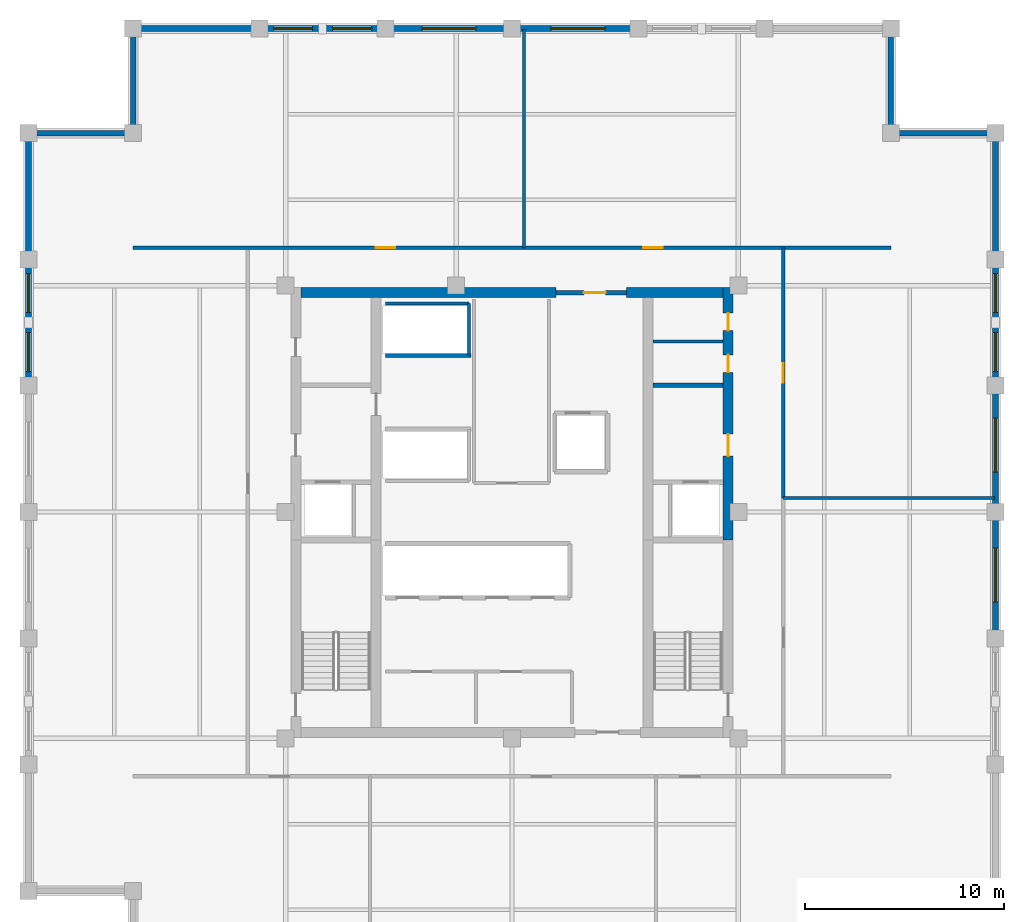
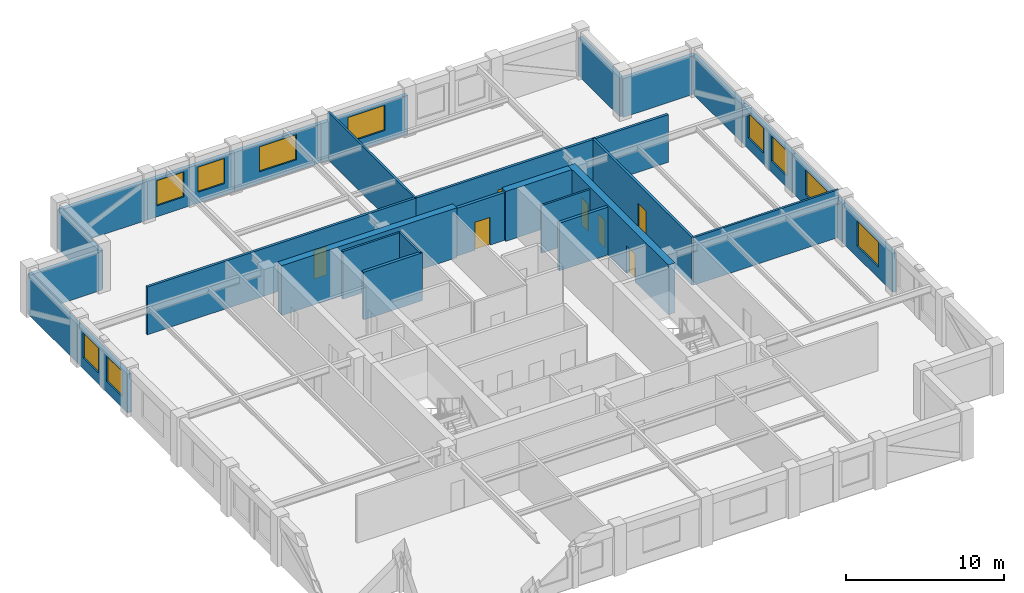
# One storey, part 4 of 6: 28 walls, 10 windows, 7 doors, 17 openings.
"""IFC4 building model written with IfcOpenShell, lengths in metres."""

from ifc_helpers import new_model, si_unit, direction, frame, frame_2d, origin, place, context, subcontext, project, spatial, rectangle, extrude, material, layer, layer_set, type_object, element, fill, save


model = new_model("IFC4")

# Units and contexts
model_context = context("Model", 3, precision=1e-05, world=origin(), true_north=direction((0.0, 1.0)))
body_context = subcontext(model_context, "Body", "Model", "MODEL_VIEW")
ifc_project = project(units=[si_unit("LENGTHUNIT", "METRE"), si_unit("AREAUNIT", "SQUARE_METRE"), si_unit("VOLUMEUNIT", "CUBIC_METRE"), si_unit("PLANEANGLEUNIT", "RADIAN"), si_unit("MASSUNIT", "GRAM", prefix="KILO")], contexts=[model_context])

# Site, building, storey
site_placement = place(None, origin())
site = spatial("IfcSite", under=ifc_project, at=site_placement, CompositionType="ELEMENT")
building_placement = place(site_placement, origin())
building = spatial("IfcBuilding", under=site, at=building_placement, Name="Nhamokura Convention Tower", CompositionType="ELEMENT")
storey_placement = place(building_placement, frame((0.0, 0.0, 233.10009765625)))
storey = spatial("IfcBuildingStorey", under=building, at=storey_placement, Name="L57", CompositionType="ELEMENT", Elevation=233.10009765625)

# Walls
ifc_material_1 = material(Name="Moisture-resistant tile-backer partition", Category="masonry")
ifc_layer_1 = layer(ifc_material_1, 0.139892578125)
ifc_layer_set_1 = layer_set([ifc_layer_1], Name="BathroomWetWall_140")
wall_type_1 = type_object("IfcWallType", Name="BathroomWetWall_140", PredefinedType="STANDARD", material=ifc_layer_set_1)
wall_1_placement = place(storey_placement, frame((39.06005859375, 40.550048828125, 0.0), z_axis=(0.0, 0.0, 1.0), x_axis=(1.0, 0.0, 0.0)))
element("IfcWall", 1, at=wall_1_placement, inside=storey, type_object=wall_type_1, Name="L57 Wall INT-L57-CWNE", PredefinedType="STANDARD", context=body_context, shape_type="SweptSolid", body=[
    extrude(rectangle(XDim=3.530029296875, YDim=0.139892578125, at=frame_2d((1.76513671875, 0.0))), origin(), (0.0, 0.0, 1.0), 3.684814453125),
])
ifc_material_2 = material(Name="Bronze-pigmented precast concrete C45/55", Category="concrete")
ifc_layer_2 = layer(ifc_material_2, 0.280029296875)
ifc_layer_set_2 = layer_set([ifc_layer_2], Name="BronzePrecastSpandrel_280")
wall_type_2 = type_object("IfcWallType", Name="BronzePrecastSpandrel_280", PredefinedType="USERDEFINED", material=ifc_layer_set_2)
wall_2_placement = place(storey_placement, frame((13.0, 56.25, 0.0), z_axis=(0.0, 0.0, 1.0), x_axis=(1.0, 0.0, 0.0)))
element("IfcWall", 2, at=wall_2_placement, inside=storey, type_object=wall_type_2, Name="L57 Braced-Bay Precast Wall NORTH 0", ObjectType="SPANDREL_WALL", PredefinedType="USERDEFINED", context=body_context, shape_type="SweptSolid", body=[
    extrude(rectangle(XDim=6.333251953125, YDim=0.280029296875, at=frame_2d((3.16650390625, 0.0))), origin(), (0.0, 0.0, 1.0), 2.98486328125),
])

# Wall, openings, windows
wall_3_placement = place(storey_placement, frame((19.333251953125, 56.25, 0.0), z_axis=(0.0, 0.0, 1.0), x_axis=(1.0, 0.0, 0.0)))
wall_3 = element("IfcWall", 3, at=wall_3_placement, inside=storey, type_object=wall_type_2, Name="L57 Masonry-Frame Wall NORTH 1", ObjectType="SPANDREL_WALL", PredefinedType="USERDEFINED", context=body_context, shape_type="SweptSolid", body=[
    extrude(rectangle(XDim=6.33349609375, YDim=0.280029296875, at=frame_2d((3.166748046875, 0.0))), origin(), (0.0, 0.0, 1.0), 2.98486328125),
])
opening_1_placement = place(wall_3_placement, frame((0.708251953125, 0.0, 0.85009765625)))
opening_1 = element("IfcOpeningElement", 4, at=opening_1_placement, cuts=wall_3, Name="Opening W-08", PredefinedType="OPENING", context=body_context, shape_type="SweptSolid", body=[
    extrude(rectangle(XDim=1.949951171875, YDim=1.93505859375, at=frame_2d((0.97509765625, 0.967529296875))), frame((0.0, 0.14990234375, 0.0), z_axis=(0.0, -1.0, 0.0), x_axis=(1.0, 0.0, 0.0)), (0.0, 0.0, 1.0), 0.300048828125),
])
opening_2_placement = place(wall_3_placement, frame((3.675048828125, 0.0, 0.85009765625)))
opening_2 = element("IfcOpeningElement", 5, at=opening_2_placement, cuts=wall_3, Name="Opening W-08", PredefinedType="OPENING", context=body_context, shape_type="SweptSolid", body=[
    extrude(rectangle(XDim=1.949951171875, YDim=1.93505859375, at=frame_2d((0.97509765625, 0.967529296875))), frame((0.0, 0.14990234375, 0.0), z_axis=(0.0, -1.0, 0.0), x_axis=(1.0, 0.0, 0.0)), (0.0, 0.0, 1.0), 0.300048828125),
])
ifc_material_3 = material(Name="Solar-control bronze low-E double glass", Category="glass")
window_type_1 = type_object("IfcWindowType", Name="OfficeModuleWindow_Z3_1950", PartitioningType="SINGLE_PANEL", PredefinedType="WINDOW", material=ifc_material_3)
window_1_placement = place(opening_1_placement, origin())
window_1 = element("IfcWindow", 6, at=window_1_placement, inside=storey, type_object=window_type_1, Name="L57 Facade Window NORTH 1-1", OverallHeight=1.93505859375, OverallWidth=1.949951171875, PartitioningType="SINGLE_PANEL", PredefinedType="WINDOW", context=body_context, shape_type="SweptSolid", body=[
    extrude(rectangle(XDim=1.949951171875, YDim=1.93505859375, at=frame_2d((0.97509765625, 0.967529296875))), frame((0.0, 0.030029296875, 0.0), z_axis=(0.0, -1.0, 0.0), x_axis=(1.0, 0.0, 0.0)), (0.0, 0.0, 1.0), 0.06005859375),
])
fill(opening_1, window_1)
window_2_placement = place(opening_2_placement, origin())
window_2 = element("IfcWindow", 7, at=window_2_placement, inside=storey, type_object=window_type_1, Name="L57 Facade Window NORTH 1-2", OverallHeight=1.93505859375, OverallWidth=1.949951171875, PartitioningType="SINGLE_PANEL", PredefinedType="WINDOW", context=body_context, shape_type="SweptSolid", body=[
    extrude(rectangle(XDim=1.949951171875, YDim=1.93505859375, at=frame_2d((0.97509765625, 0.967529296875))), frame((0.0, 0.030029296875, 0.0), z_axis=(0.0, -1.0, 0.0), x_axis=(1.0, 0.0, 0.0)), (0.0, 0.0, 1.0), 0.06005859375),
])
fill(opening_2, window_2)

# Wall, opening, window
wall_4_placement = place(storey_placement, frame((25.666748046875, 56.25, 0.0), z_axis=(0.0, 0.0, 1.0), x_axis=(1.0, 0.0, 0.0)))
wall_4 = element("IfcWall", 8, at=wall_4_placement, inside=storey, type_object=wall_type_2, Name="L57 Masonry-Frame Wall NORTH 2", ObjectType="SPANDREL_WALL", PredefinedType="USERDEFINED", context=body_context, shape_type="SweptSolid", body=[
    extrude(rectangle(XDim=6.333251953125, YDim=0.280029296875, at=frame_2d((3.16650390625, 0.0))), origin(), (0.0, 0.0, 1.0), 2.98486328125),
])
opening_3_placement = place(wall_4_placement, frame((1.816650390625, 0.0, 0.85009765625)))
opening_3 = element("IfcOpeningElement", 9, at=opening_3_placement, cuts=wall_4, Name="Opening W-07", PredefinedType="OPENING", context=body_context, shape_type="SweptSolid", body=[
    extrude(rectangle(XDim=2.699951171875, YDim=1.93505859375, at=frame_2d((1.35009765625, 0.967529296875))), frame((0.0, 0.14990234375, 0.0), z_axis=(0.0, -1.0, 0.0), x_axis=(1.0, 0.0, 0.0)), (0.0, 0.0, 1.0), 0.300048828125),
])
ifc_material_4 = material(Name="Solar-control bronze low-E double glass", Category="glass")
window_type_2 = type_object("IfcWindowType", Name="OfficeModuleWindow_Z3_2700", PartitioningType="DOUBLE_PANEL_VERTICAL", PredefinedType="WINDOW", material=ifc_material_4)
window_3_placement = place(opening_3_placement, origin())
window_3 = element("IfcWindow", 10, at=window_3_placement, inside=storey, type_object=window_type_2, Name="L57 Facade Window NORTH 2", OverallHeight=1.93505859375, OverallWidth=2.699951171875, PartitioningType="SINGLE_PANEL", PredefinedType="WINDOW", context=body_context, shape_type="SweptSolid", body=[
    extrude(rectangle(XDim=2.699951171875, YDim=1.93505859375, at=frame_2d((1.35009765625, 0.967529296875))), frame((0.0, 0.030029296875, 0.0), z_axis=(0.0, -1.0, 0.0), x_axis=(1.0, 0.0, 0.0)), (0.0, 0.0, 1.0), 0.06005859375),
])
fill(opening_3, window_3)

wall_5_placement = place(storey_placement, frame((32.0, 56.25, 0.0), z_axis=(0.0, 0.0, 1.0), x_axis=(1.0, 0.0, 0.0)))
wall_5 = element("IfcWall", 11, at=wall_5_placement, inside=storey, type_object=wall_type_2, Name="L57 Masonry-Frame Wall NORTH 3", ObjectType="SPANDREL_WALL", PredefinedType="USERDEFINED", context=body_context, shape_type="SweptSolid", body=[
    extrude(rectangle(XDim=6.333251953125, YDim=0.280029296875, at=frame_2d((3.16650390625, 0.0))), origin(), (0.0, 0.0, 1.0), 2.98486328125),
])
opening_4_placement = place(wall_5_placement, frame((1.9541015625, 0.0, 0.85009765625)))
opening_4 = element("IfcOpeningElement", 12, at=opening_4_placement, cuts=wall_5, Name="Opening W-07", PredefinedType="OPENING", context=body_context, shape_type="SweptSolid", body=[
    extrude(rectangle(XDim=2.699951171875, YDim=1.93505859375, at=frame_2d((1.35009765625, 0.967529296875))), frame((0.0, 0.14990234375, 0.0), z_axis=(0.0, -1.0, 0.0), x_axis=(1.0, 0.0, 0.0)), (0.0, 0.0, 1.0), 0.300048828125),
])
window_4_placement = place(opening_4_placement, origin())
window_4 = element("IfcWindow", 13, at=window_4_placement, inside=storey, type_object=window_type_2, Name="L57 Facade Window NORTH 3", OverallHeight=1.93505859375, OverallWidth=2.699951171875, PartitioningType="SINGLE_PANEL", PredefinedType="WINDOW", context=body_context, shape_type="SweptSolid", body=[
    extrude(rectangle(XDim=2.699951171875, YDim=1.93505859375, at=frame_2d((1.35009765625, 0.967529296875))), frame((0.0, 0.030029296875, 0.0), z_axis=(0.0, -1.0, 0.0), x_axis=(1.0, 0.0, 0.0)), (0.0, 0.0, 1.0), 0.06005859375),
])
fill(opening_4, window_4)

# Wall, openings, windows
wall_6_placement = place(storey_placement, frame((7.75, 38.333251953125, 0.0), z_axis=(0.0, 0.0, 1.0), x_axis=(0.0, 1.0, 0.0)))
wall_6 = element("IfcWall", 14, at=wall_6_placement, inside=storey, type_object=wall_type_2, Name="L57 Masonry-Frame Wall WEST 4", ObjectType="SPANDREL_WALL", PredefinedType="USERDEFINED", context=body_context, shape_type="SweptSolid", body=[
    extrude(rectangle(XDim=6.33349609375, YDim=0.280029296875, at=frame_2d((3.166748046875, 0.0))), origin(), (0.0, 0.0, 1.0), 2.98486328125),
])
opening_5_placement = place(wall_6_placement, frame((0.708251953125, 0.0, 0.85009765625)))
opening_5 = element("IfcOpeningElement", 15, at=opening_5_placement, cuts=wall_6, Name="Opening W-08", PredefinedType="OPENING", context=body_context, shape_type="SweptSolid", body=[
    extrude(rectangle(XDim=1.949951171875, YDim=1.93505859375, at=frame_2d((0.97509765625, 0.967529296875))), frame((0.0, 0.14990234375, 0.0), z_axis=(0.0, -1.0, 0.0), x_axis=(1.0, 0.0, 0.0)), (0.0, 0.0, 1.0), 0.300048828125),
])
opening_6_placement = place(wall_6_placement, frame((3.675048828125, 0.0, 0.85009765625)))
opening_6 = element("IfcOpeningElement", 16, at=opening_6_placement, cuts=wall_6, Name="Opening W-08", PredefinedType="OPENING", context=body_context, shape_type="SweptSolid", body=[
    extrude(rectangle(XDim=1.949951171875, YDim=1.93505859375, at=frame_2d((0.97509765625, 0.967529296875))), frame((0.0, 0.14990234375, 0.0), z_axis=(0.0, -1.0, 0.0), x_axis=(1.0, 0.0, 0.0)), (0.0, 0.0, 1.0), 0.300048828125),
])
window_5_placement = place(opening_5_placement, origin())
window_5 = element("IfcWindow", 17, at=window_5_placement, inside=storey, type_object=window_type_1, Name="L57 Facade Window WEST 4-1", OverallHeight=1.93505859375, OverallWidth=1.949951171875, PartitioningType="SINGLE_PANEL", PredefinedType="WINDOW", context=body_context, shape_type="SweptSolid", body=[
    extrude(rectangle(XDim=1.949951171875, YDim=1.93505859375, at=frame_2d((0.97509765625, 0.967529296875))), frame((0.0, 0.030029296875, 0.0), z_axis=(0.0, -1.0, 0.0), x_axis=(1.0, 0.0, 0.0)), (0.0, 0.0, 1.0), 0.06005859375),
])
fill(opening_5, window_5)
window_6_placement = place(opening_6_placement, origin())
window_6 = element("IfcWindow", 18, at=window_6_placement, inside=storey, type_object=window_type_1, Name="L57 Facade Window WEST 4-2", OverallHeight=1.93505859375, OverallWidth=1.949951171875, PartitioningType="SINGLE_PANEL", PredefinedType="WINDOW", context=body_context, shape_type="SweptSolid", body=[
    extrude(rectangle(XDim=1.949951171875, YDim=1.93505859375, at=frame_2d((0.97509765625, 0.967529296875))), frame((0.0, 0.030029296875, 0.0), z_axis=(0.0, -1.0, 0.0), x_axis=(1.0, 0.0, 0.0)), (0.0, 0.0, 1.0), 0.06005859375),
])
fill(opening_6, window_6)

# Wall
wall_7_placement = place(storey_placement, frame((7.75, 44.666748046875, 0.0), z_axis=(0.0, 0.0, 1.0), x_axis=(0.0, 1.0, 0.0)))
element("IfcWall", 19, at=wall_7_placement, inside=storey, type_object=wall_type_2, Name="L57 Braced-Bay Precast Wall WEST 5", ObjectType="SPANDREL_WALL", PredefinedType="USERDEFINED", context=body_context, shape_type="SweptSolid", body=[
    extrude(rectangle(XDim=6.333251953125, YDim=0.280029296875, at=frame_2d((3.16650390625, 0.0))), origin(), (0.0, 0.0, 1.0), 2.98486328125),
])

# Wall, opening, window
wall_8_placement = place(storey_placement, frame((56.25, 32.0, 0.0), z_axis=(0.0, 0.0, 1.0), x_axis=(0.0, -1.0, 0.0)))
wall_8 = element("IfcWall", 20, at=wall_8_placement, inside=storey, type_object=wall_type_2, Name="L57 Masonry-Frame Wall EAST 2", ObjectType="SPANDREL_WALL", PredefinedType="USERDEFINED", context=body_context, shape_type="SweptSolid", body=[
    extrude(rectangle(XDim=6.333251953125, YDim=0.280029296875, at=frame_2d((3.16650390625, 0.0))), origin(), (0.0, 0.0, 1.0), 2.98486328125),
])
opening_7_placement = place(wall_8_placement, frame((1.816650390625, 0.0, 0.85009765625)))
opening_7 = element("IfcOpeningElement", 21, at=opening_7_placement, cuts=wall_8, Name="Opening W-07", PredefinedType="OPENING", context=body_context, shape_type="SweptSolid", body=[
    extrude(rectangle(XDim=2.699951171875, YDim=1.93505859375, at=frame_2d((1.35009765625, 0.967529296875))), frame((0.0, 0.14990234375, 0.0), z_axis=(0.0, -1.0, 0.0), x_axis=(1.0, 0.0, 0.0)), (0.0, 0.0, 1.0), 0.300048828125),
])
window_7_placement = place(opening_7_placement, origin())
window_7 = element("IfcWindow", 22, at=window_7_placement, inside=storey, type_object=window_type_2, Name="L57 Facade Window EAST 2", OverallHeight=1.93505859375, OverallWidth=2.699951171875, PartitioningType="SINGLE_PANEL", PredefinedType="WINDOW", context=body_context, shape_type="SweptSolid", body=[
    extrude(rectangle(XDim=2.699951171875, YDim=1.93505859375, at=frame_2d((1.35009765625, 0.967529296875))), frame((0.0, 0.030029296875, 0.0), z_axis=(0.0, -1.0, 0.0), x_axis=(1.0, 0.0, 0.0)), (0.0, 0.0, 1.0), 0.06005859375),
])
fill(opening_7, window_7)

wall_9_placement = place(storey_placement, frame((56.25, 38.333251953125, 0.0), z_axis=(0.0, 0.0, 1.0), x_axis=(0.0, -1.0, 0.0)))
wall_9 = element("IfcWall", 23, at=wall_9_placement, inside=storey, type_object=wall_type_2, Name="L57 Masonry-Frame Wall EAST 3", ObjectType="SPANDREL_WALL", PredefinedType="USERDEFINED", context=body_context, shape_type="SweptSolid", body=[
    extrude(rectangle(XDim=6.333251953125, YDim=0.280029296875, at=frame_2d((3.16650390625, 0.0))), origin(), (0.0, 0.0, 1.0), 2.98486328125),
])
opening_8_placement = place(wall_9_placement, frame((1.629150390625, 0.0, 0.85009765625)))
opening_8 = element("IfcOpeningElement", 24, at=opening_8_placement, cuts=wall_9, Name="Opening W-07", PredefinedType="OPENING", context=body_context, shape_type="SweptSolid", body=[
    extrude(rectangle(XDim=2.699951171875, YDim=1.93505859375, at=frame_2d((1.35009765625, 0.967529296875))), frame((0.0, 0.14990234375, 0.0), z_axis=(0.0, -1.0, 0.0), x_axis=(1.0, 0.0, 0.0)), (0.0, 0.0, 1.0), 0.300048828125),
])
window_8_placement = place(opening_8_placement, origin())
window_8 = element("IfcWindow", 25, at=window_8_placement, inside=storey, type_object=window_type_2, Name="L57 Facade Window EAST 3", OverallHeight=1.93505859375, OverallWidth=2.699951171875, PartitioningType="SINGLE_PANEL", PredefinedType="WINDOW", context=body_context, shape_type="SweptSolid", body=[
    extrude(rectangle(XDim=2.699951171875, YDim=1.93505859375, at=frame_2d((1.35009765625, 0.967529296875))), frame((0.0, 0.030029296875, 0.0), z_axis=(0.0, -1.0, 0.0), x_axis=(1.0, 0.0, 0.0)), (0.0, 0.0, 1.0), 0.06005859375),
])
fill(opening_8, window_8)

# Wall, openings, windows
wall_10_placement = place(storey_placement, frame((56.25, 44.666748046875, 0.0), z_axis=(0.0, 0.0, 1.0), x_axis=(0.0, -1.0, 0.0)))
wall_10 = element("IfcWall", 26, at=wall_10_placement, inside=storey, type_object=wall_type_2, Name="L57 Masonry-Frame Wall EAST 4", ObjectType="SPANDREL_WALL", PredefinedType="USERDEFINED", context=body_context, shape_type="SweptSolid", body=[
    extrude(rectangle(XDim=6.33349609375, YDim=0.280029296875, at=frame_2d((3.166748046875, 0.0))), origin(), (0.0, 0.0, 1.0), 2.98486328125),
])
opening_9_placement = place(wall_10_placement, frame((0.708251953125, 0.0, 0.85009765625)))
opening_9 = element("IfcOpeningElement", 27, at=opening_9_placement, cuts=wall_10, Name="Opening W-08", PredefinedType="OPENING", context=body_context, shape_type="SweptSolid", body=[
    extrude(rectangle(XDim=1.949951171875, YDim=1.93505859375, at=frame_2d((0.97509765625, 0.967529296875))), frame((0.0, 0.14990234375, 0.0), z_axis=(0.0, -1.0, 0.0), x_axis=(1.0, 0.0, 0.0)), (0.0, 0.0, 1.0), 0.300048828125),
])
opening_10_placement = place(wall_10_placement, frame((3.675048828125, 0.0, 0.85009765625)))
opening_10 = element("IfcOpeningElement", 28, at=opening_10_placement, cuts=wall_10, Name="Opening W-08", PredefinedType="OPENING", context=body_context, shape_type="SweptSolid", body=[
    extrude(rectangle(XDim=1.949951171875, YDim=1.93505859375, at=frame_2d((0.97509765625, 0.967529296875))), frame((0.0, 0.14990234375, 0.0), z_axis=(0.0, -1.0, 0.0), x_axis=(1.0, 0.0, 0.0)), (0.0, 0.0, 1.0), 0.300048828125),
])
window_9_placement = place(opening_9_placement, origin())
window_9 = element("IfcWindow", 29, at=window_9_placement, inside=storey, type_object=window_type_1, Name="L57 Facade Window EAST 4-1", OverallHeight=1.93505859375, OverallWidth=1.949951171875, PartitioningType="SINGLE_PANEL", PredefinedType="WINDOW", context=body_context, shape_type="SweptSolid", body=[
    extrude(rectangle(XDim=1.949951171875, YDim=1.93505859375, at=frame_2d((0.97509765625, 0.967529296875))), frame((0.0, 0.030029296875, 0.0), z_axis=(0.0, -1.0, 0.0), x_axis=(1.0, 0.0, 0.0)), (0.0, 0.0, 1.0), 0.06005859375),
])
fill(opening_9, window_9)
window_10_placement = place(opening_10_placement, origin())
window_10 = element("IfcWindow", 30, at=window_10_placement, inside=storey, type_object=window_type_1, Name="L57 Facade Window EAST 4-2", OverallHeight=1.93505859375, OverallWidth=1.949951171875, PartitioningType="SINGLE_PANEL", PredefinedType="WINDOW", context=body_context, shape_type="SweptSolid", body=[
    extrude(rectangle(XDim=1.949951171875, YDim=1.93505859375, at=frame_2d((0.97509765625, 0.967529296875))), frame((0.0, 0.030029296875, 0.0), z_axis=(0.0, -1.0, 0.0), x_axis=(1.0, 0.0, 0.0)), (0.0, 0.0, 1.0), 0.06005859375),
])
fill(opening_10, window_10)

# Walls
wall_11_placement = place(storey_placement, frame((56.25, 51.0, 0.0), z_axis=(0.0, 0.0, 1.0), x_axis=(0.0, -1.0, 0.0)))
element("IfcWall", 31, at=wall_11_placement, inside=storey, type_object=wall_type_2, Name="L57 Braced-Bay Precast Wall EAST 5", ObjectType="SPANDREL_WALL", PredefinedType="USERDEFINED", context=body_context, shape_type="SweptSolid", body=[
    extrude(rectangle(XDim=6.333251953125, YDim=0.280029296875, at=frame_2d((3.16650390625, 0.0))), origin(), (0.0, 0.0, 1.0), 2.98486328125),
])
for number, where, z_axis, x_axis, name in (
    (32, (51.0, 51.0, 0.0), (0.0, 0.0, 1.0), (1.0, 0.0, 0.0), "L57 Notched Corner Wall NE1"),
    (33, (51.0, 56.25, 0.0), (0.0, 0.0, 1.0), (0.0, -1.0, 0.0), "L57 Notched Corner Wall NE2"),
    (34, (13.0, 51.0, 0.0), (0.0, 0.0, 1.0), (0.0, 1.0, 0.0), "L57 Notched Corner Wall NW1"),
    (35, (7.75, 51.0, 0.0), (0.0, 0.0, 1.0), (1.0, 0.0, 0.0), "L57 Notched Corner Wall NW2"),
):
    element("IfcWall", number, at=place(storey_placement, frame(where, z_axis=z_axis, x_axis=x_axis)), inside=storey, type_object=wall_type_2, Name=name, ObjectType="SPANDREL_WALL", PredefinedType="USERDEFINED", context=body_context, shape_type="SweptSolid", body=[
        extrude(rectangle(XDim=5.25, YDim=0.280029296875, at=frame_2d((2.625, 0.0))), origin(), (0.0, 0.0, 1.0), 2.98486328125),
    ])

# Wall, openings, doors
ifc_material_5 = material(Name="Concrete C60/75", Category="concrete")
ifc_layer_3 = layer(ifc_material_5, 0.5)
ifc_layer_set_3 = layer_set([ifc_layer_3], Name="CoreShearWall_500")
wall_type_3 = type_object("IfcWallType", Name="CoreShearWall_500", PredefinedType="SHEAR", material=ifc_layer_set_3)
wall_12_placement = place(storey_placement, frame((42.840087890625, 30.60009765625, 0.0), z_axis=(0.0, 0.0, 1.0), x_axis=(0.0, 1.0, 0.0)))
wall_12 = element("IfcWall", 36, at=wall_12_placement, inside=storey, type_object=wall_type_3, Name="L57 Core Shear Wall CW-EN", PredefinedType="SHEAR", context=body_context, shape_type="SweptSolid", body=[
    extrude(rectangle(XDim=12.64990234375, YDim=0.5, at=frame_2d((6.324951171875, 0.0))), origin(), (0.0, 0.0, 1.0), 3.849853515625),
])
opening_11_placement = place(wall_12_placement, frame((4.199951171875, 0.0, 0.0)))
opening_11 = element("IfcOpeningElement", 37, at=opening_11_placement, cuts=wall_12, Name="Opening D-05", PredefinedType="OPENING", context=body_context, shape_type="SweptSolid", body=[
    extrude(rectangle(XDim=1.10009765625, YDim=2.14990234375, at=frame_2d((0.550048828125, 1.074951171875))), frame((0.0, 0.260009765625, 0.0), z_axis=(0.0, -1.0, 0.0), x_axis=(1.0, 0.0, 0.0)), (0.0, 0.0, 1.0), 0.52001953125),
])
opening_12_placement = place(wall_12_placement, frame((8.39990234375, 0.0, 0.0)))
opening_12 = element("IfcOpeningElement", 38, at=opening_12_placement, cuts=wall_12, Name="Opening D-11", PredefinedType="OPENING", context=body_context, shape_type="SweptSolid", body=[
    extrude(rectangle(XDim=0.8798828125, YDim=2.10009765625, at=frame_2d((0.43994140625, 1.050048828125))), frame((0.0, 0.260009765625, 0.0), z_axis=(0.0, -1.0, 0.0), x_axis=(1.0, 0.0, 0.0)), (0.0, 0.0, 1.0), 0.52001953125),
])
opening_13_placement = place(wall_12_placement, frame((10.5, 0.0, 0.0)))
opening_13 = element("IfcOpeningElement", 39, at=opening_13_placement, cuts=wall_12, Name="Opening D-11", PredefinedType="OPENING", context=body_context, shape_type="SweptSolid", body=[
    extrude(rectangle(XDim=0.8798828125, YDim=2.10009765625, at=frame_2d((0.43994140625, 1.050048828125))), frame((0.0, 0.260009765625, 0.0), z_axis=(0.0, -1.0, 0.0), x_axis=(1.0, 0.0, 0.0)), (0.0, 0.0, 1.0), 0.52001953125),
])
ifc_material_6 = material(Name="Solid oak hardwood", Category="wood")
door_type_1 = type_object("IfcDoorType", Name="BathroomDoor_880", OperationType="NOTDEFINED", PredefinedType="DOOR", material=ifc_material_6)
door_1_placement = place(opening_12_placement, origin())
door_1 = element("IfcDoor", 40, at=door_1_placement, inside=storey, type_object=door_type_1, Name="L57 Core Door INT-L57-D-MWC", OperationType="SINGLE_SWING_RIGHT", OverallHeight=2.10009765625, OverallWidth=0.8798828125, PredefinedType="DOOR", context=body_context, shape_type="SweptSolid", body=[
    extrude(rectangle(XDim=0.8798828125, YDim=2.10009765625, at=frame_2d((0.43994140625, 1.050048828125))), frame((0.0, 0.02490234375, 0.0), z_axis=(0.0, -1.0, 0.0), x_axis=(1.0, 0.0, 0.0)), (0.0, 0.0, 1.0), 0.050048828125),
])
fill(opening_12, door_1)
door_2_placement = place(opening_13_placement, origin())
door_2 = element("IfcDoor", 41, at=door_2_placement, inside=storey, type_object=door_type_1, Name="L57 Core Door INT-L57-D-FWC", OperationType="SINGLE_SWING_LEFT", OverallHeight=2.10009765625, OverallWidth=0.8798828125, PredefinedType="DOOR", context=body_context, shape_type="SweptSolid", body=[
    extrude(rectangle(XDim=0.8798828125, YDim=2.10009765625, at=frame_2d((0.43994140625, 1.050048828125))), frame((0.0, 0.02490234375, 0.0), z_axis=(0.0, -1.0, 0.0), x_axis=(1.0, 0.0, 0.0)), (0.0, 0.0, 1.0), 0.050048828125),
])
fill(opening_13, door_2)
ifc_material_7 = material(Name="Fire-rated steel door", Category="steel")
door_type_2 = type_object("IfcDoorType", Name="FireLobbyDoor_1100", OperationType="NOTDEFINED", PredefinedType="DOOR", material=ifc_material_7)
door_3_placement = place(opening_11_placement, origin())
door_3 = element("IfcDoor", 42, at=door_3_placement, inside=storey, type_object=door_type_2, Name="L57 Core Door INT-L57-D-FFLE", OperationType="SINGLE_SWING_LEFT", OverallHeight=2.14990234375, OverallWidth=1.10009765625, PredefinedType="DOOR", context=body_context, shape_type="SweptSolid", body=[
    extrude(rectangle(XDim=1.10009765625, YDim=2.14990234375, at=frame_2d((0.550048828125, 1.074951171875))), frame((0.0, 0.02490234375, 0.0), z_axis=(0.0, -1.0, 0.0), x_axis=(1.0, 0.0, 0.0)), (0.0, 0.0, 1.0), 0.050048828125),
])
fill(opening_11, door_3)

# Walls
wall_13_placement = place(storey_placement, frame((21.409912109375, 43.0, 0.0), z_axis=(0.0, 0.0, 1.0), x_axis=(1.0, 0.0, 0.0)))
element("IfcWall", 43, at=wall_13_placement, inside=storey, type_object=wall_type_3, Name="L57 Core Shear Wall CW-N1", PredefinedType="SHEAR", context=body_context, shape_type="SweptSolid", body=[
    extrude(rectangle(XDim=12.7900390625, YDim=0.5, at=frame_2d((6.39501953125, 0.0))), origin(), (0.0, 0.0, 1.0), 3.849853515625),
])
wall_14_placement = place(storey_placement, frame((37.75, 43.0, 0.0), z_axis=(0.0, 0.0, 1.0), x_axis=(1.0, 0.0, 0.0)))
element("IfcWall", 44, at=wall_14_placement, inside=storey, type_object=wall_type_3, Name="L57 Core Shear Wall CW-N2", PredefinedType="SHEAR", context=body_context, shape_type="SweptSolid", body=[
    extrude(rectangle(XDim=4.840087890625, YDim=0.5, at=frame_2d((2.419921875, 0.0))), origin(), (0.0, 0.0, 1.0), 3.849853515625),
])

# Wall, opening, door
ifc_material_8 = material(Name="Fire-rated gypsum and masonry partition", Category="masonry")
ifc_layer_4 = layer(ifc_material_8, 0.179931640625)
ifc_layer_set_4 = layer_set([ifc_layer_4], Name="CorridorRatedWall_180")
wall_type_4 = type_object("IfcWallType", Name="CorridorRatedWall_180", PredefinedType="STANDARD", material=ifc_layer_set_4)
wall_15_placement = place(storey_placement, frame((13.0, 45.25, 0.0), z_axis=(0.0, 0.0, 1.0), x_axis=(1.0, 0.0, 0.0)))
wall_15 = element("IfcWall", 45, at=wall_15_placement, inside=storey, type_object=wall_type_4, Name="L57 Wall INT-L57-CW-N00", PredefinedType="STANDARD", context=body_context, shape_type="SweptSolid", body=[
    extrude(rectangle(XDim=19.60009765625, YDim=0.179931640625, at=frame_2d((9.800048828125, 0.0))), origin(), (0.0, 0.0, 1.0), 3.684814453125),
])
opening_14_placement = place(wall_15_placement, frame((12.175048828125, 0.0, 0.0)))
opening_14 = element("IfcOpeningElement", 46, at=opening_14_placement, cuts=wall_15, Name="Opening D-08", PredefinedType="OPENING", context=body_context, shape_type="SweptSolid", body=[
    extrude(rectangle(XDim=0.97998046875, YDim=2.199951171875, at=frame_2d((0.489990234375, 1.10009765625))), frame((0.0, 0.099853515625, 0.0), z_axis=(0.0, -1.0, 0.0), x_axis=(1.0, 0.0, 0.0)), (0.0, 0.0, 1.0), 0.199951171875),
])
ifc_material_9 = material(Name="Solid oak hardwood", Category="wood")
door_type_3 = type_object("IfcDoorType", Name="OfficeEntryDoor_980", OperationType="NOTDEFINED", PredefinedType="DOOR", material=ifc_material_9)
door_4_placement = place(opening_14_placement, origin())
door_4 = element("IfcDoor", 47, at=door_4_placement, inside=storey, type_object=door_type_3, Name="L57 Training Classroom N01 Door", OperationType="SINGLE_SWING_LEFT", OverallHeight=2.199951171875, OverallWidth=0.97998046875, PredefinedType="DOOR", context=body_context, shape_type="SweptSolid", body=[
    extrude(rectangle(XDim=0.97998046875, YDim=2.199951171875, at=frame_2d((0.489990234375, 1.10009765625))), frame((0.0, 0.02490234375, 0.0), z_axis=(0.0, -1.0, 0.0), x_axis=(1.0, 0.0, 0.0)), (0.0, 0.0, 1.0), 0.050048828125),
])
fill(opening_14, door_4)

wall_16_placement = place(storey_placement, frame((32.60009765625, 45.25, 0.0), z_axis=(0.0, 0.0, 1.0), x_axis=(1.0, 0.0, 0.0)))
wall_16 = element("IfcWall", 48, at=wall_16_placement, inside=storey, type_object=wall_type_4, Name="L57 Wall INT-L57-CW-N01", PredefinedType="STANDARD", context=body_context, shape_type="SweptSolid", body=[
    extrude(rectangle(XDim=18.39990234375, YDim=0.179931640625, at=frame_2d((9.199951171875, 0.0))), origin(), (0.0, 0.0, 1.0), 3.684814453125),
])
opening_15_placement = place(wall_16_placement, frame((5.97509765625, 0.0, 0.0)))
opening_15 = element("IfcOpeningElement", 49, at=opening_15_placement, cuts=wall_16, Name="Opening D-08", PredefinedType="OPENING", context=body_context, shape_type="SweptSolid", body=[
    extrude(rectangle(XDim=0.97998046875, YDim=2.199951171875, at=frame_2d((0.489990234375, 1.10009765625))), frame((0.0, 0.099853515625, 0.0), z_axis=(0.0, -1.0, 0.0), x_axis=(1.0, 0.0, 0.0)), (0.0, 0.0, 1.0), 0.199951171875),
])
door_5_placement = place(opening_15_placement, origin())
door_5 = element("IfcDoor", 50, at=door_5_placement, inside=storey, type_object=door_type_3, Name="L57 Private Office N02 Door", OperationType="SINGLE_SWING_RIGHT", OverallHeight=2.199951171875, OverallWidth=0.97998046875, PredefinedType="DOOR", context=body_context, shape_type="SweptSolid", body=[
    extrude(rectangle(XDim=0.97998046875, YDim=2.199951171875, at=frame_2d((0.489990234375, 1.10009765625))), frame((0.0, 0.02490234375, 0.0), z_axis=(0.0, -1.0, 0.0), x_axis=(1.0, 0.0, 0.0)), (0.0, 0.0, 1.0), 0.050048828125),
])
fill(opening_15, door_5)

wall_17_placement = place(storey_placement, frame((45.60009765625, 32.699951171875, 0.0), z_axis=(0.0, 0.0, 1.0), x_axis=(0.0, 1.0, 0.0)))
wall_17 = element("IfcWall", 51, at=wall_17_placement, inside=storey, type_object=wall_type_4, Name="L57 Wall INT-L57-CW-E01", PredefinedType="STANDARD", context=body_context, shape_type="SweptSolid", body=[
    extrude(rectangle(XDim=12.550048828125, YDim=0.179931640625, at=frame_2d((6.27490234375, 0.0))), origin(), (0.0, 0.0, 1.0), 3.684814453125),
])
opening_16_placement = place(wall_17_placement, frame((5.77490234375, 0.0, 0.0)))
opening_16 = element("IfcOpeningElement", 52, at=opening_16_placement, cuts=wall_17, Name="Opening D-08", PredefinedType="OPENING", context=body_context, shape_type="SweptSolid", body=[
    extrude(rectangle(XDim=0.97998046875, YDim=2.199951171875, at=frame_2d((0.489990234375, 1.10009765625))), frame((0.0, 0.099853515625, 0.0), z_axis=(0.0, -1.0, 0.0), x_axis=(1.0, 0.0, 0.0)), (0.0, 0.0, 1.0), 0.199951171875),
])
door_6_placement = place(opening_16_placement, origin())
door_6 = element("IfcDoor", 53, at=door_6_placement, inside=storey, type_object=door_type_3, Name="L57 Collaboration Lounge E02 Door", OperationType="SINGLE_SWING_RIGHT", OverallHeight=2.199951171875, OverallWidth=0.97998046875, PredefinedType="DOOR", context=body_context, shape_type="SweptSolid", body=[
    extrude(rectangle(XDim=0.97998046875, YDim=2.199951171875, at=frame_2d((0.489990234375, 1.10009765625))), frame((0.0, 0.02490234375, 0.0), z_axis=(0.0, -1.0, 0.0), x_axis=(1.0, 0.0, 0.0)), (0.0, 0.0, 1.0), 0.050048828125),
])
fill(opening_16, door_6)

# Walls
ifc_material_10 = material(Name="Autoclaved concrete blockwork", Category="masonry")
ifc_layer_5 = layer(ifc_material_10, 0.219970703125)
ifc_layer_set_5 = layer_set([ifc_layer_5], Name="FireLobbyWall_220")
wall_type_5 = type_object("IfcWallType", Name="FireLobbyWall_220", PredefinedType="STANDARD", material=ifc_layer_set_5)
wall_18_placement = place(storey_placement, frame((39.06005859375, 38.35009765625, 0.0), z_axis=(0.0, 0.0, 1.0), x_axis=(1.0, 0.0, 0.0)))
element("IfcWall", 54, at=wall_18_placement, inside=storey, type_object=wall_type_5, Name="L57 Wall INT-L57-FFE-N", PredefinedType="STANDARD", context=body_context, shape_type="SweptSolid", body=[
    extrude(rectangle(XDim=3.530029296875, YDim=0.219970703125, at=frame_2d((1.76513671875, 0.0))), origin(), (0.0, 0.0, 1.0), 3.684814453125),
])
wall_19_placement = place(storey_placement, frame((25.64990234375, 39.85009765625, 0.0), z_axis=(0.0, 0.0, 1.0), x_axis=(1.0, 0.0, 0.0)))
element("IfcWall", 55, at=wall_19_placement, inside=storey, type_object=wall_type_5, Name="L57 Wall INT-L57-B3N", PredefinedType="STANDARD", context=body_context, shape_type="SweptSolid", body=[
    extrude(rectangle(XDim=4.300048828125, YDim=0.219970703125, at=frame_2d((2.14990234375, 0.0))), origin(), (0.0, 0.0, 1.0), 3.684814453125),
])

# Wall, opening, door
wall_20_placement = place(storey_placement, frame((34.199951171875, 43.0, 0.0), z_axis=(0.0, 0.0, 1.0), x_axis=(1.0, 0.0, 0.0)))
wall_20 = element("IfcWall", 56, at=wall_20_placement, inside=storey, type_object=wall_type_5, Name="L57 Wall INT-L57-CPORT-N", PredefinedType="STANDARD", context=body_context, shape_type="SweptSolid", body=[
    extrude(rectangle(XDim=3.550048828125, YDim=0.219970703125, at=frame_2d((1.77490234375, 0.0))), origin(), (0.0, 0.0, 1.0), 3.684814453125),
])
opening_17_placement = place(wall_20_placement, frame((1.39990234375, 0.0, 0.0)))
opening_17 = element("IfcOpeningElement", 57, at=opening_17_placement, cuts=wall_20, Name="Opening D-05", PredefinedType="OPENING", context=body_context, shape_type="SweptSolid", body=[
    extrude(rectangle(XDim=1.10009765625, YDim=2.14990234375, at=frame_2d((0.550048828125, 1.074951171875))), frame((0.0, 0.119873046875, 0.0), z_axis=(0.0, -1.0, 0.0), x_axis=(1.0, 0.0, 0.0)), (0.0, 0.0, 1.0), 0.239990234375),
])
door_7_placement = place(opening_17_placement, origin())
door_7 = element("IfcDoor", 58, at=door_7_placement, inside=storey, type_object=door_type_2, Name="L57 North Core Lobby Portal Door", OperationType="SINGLE_SWING_RIGHT", OverallHeight=2.14990234375, OverallWidth=1.10009765625, PredefinedType="DOOR", context=body_context, shape_type="SweptSolid", body=[
    extrude(rectangle(XDim=1.10009765625, YDim=2.14990234375, at=frame_2d((0.550048828125, 1.074951171875))), frame((0.0, 0.02490234375, 0.0), z_axis=(0.0, -1.0, 0.0), x_axis=(1.0, 0.0, 0.0)), (0.0, 0.0, 1.0), 0.050048828125),
])
fill(opening_17, door_7)

# Walls
ifc_material_11 = material(Name="Acoustic gypsum stud partition", Category="masonry")
ifc_layer_6 = layer(ifc_material_11, 0.14990234375)
ifc_layer_set_6 = layer_set([ifc_layer_6], Name="InteriorPartition_150")
wall_type_6 = type_object("IfcWallType", Name="InteriorPartition_150", PredefinedType="STANDARD", material=ifc_layer_set_6)
wall_21_placement = place(storey_placement, frame((25.64990234375, 42.449951171875, 0.0), z_axis=(0.0, 0.0, 1.0), x_axis=(1.0, 0.0, 0.0)))
element("IfcWall", 59, at=wall_21_placement, inside=storey, type_object=wall_type_6, Name="L57 Wall INT-L57-B3B-N", PredefinedType="STANDARD", context=body_context, shape_type="SweptSolid", body=[
    extrude(rectangle(XDim=4.2001953125, YDim=0.14990234375, at=frame_2d((2.10009765625, 0.0))), origin(), (0.0, 0.0, 1.0), 3.684814453125),
])
wall_22_placement = place(storey_placement, frame((29.85009765625, 39.85009765625, 0.0), z_axis=(0.0, 0.0, 1.0), x_axis=(0.0, 1.0, 0.0)))
element("IfcWall", 60, at=wall_22_placement, inside=storey, type_object=wall_type_6, Name="L57 Wall INT-L57-B3B-E", PredefinedType="STANDARD", context=body_context, shape_type="SweptSolid", body=[
    extrude(rectangle(XDim=2.599853515625, YDim=0.14990234375, at=frame_2d((1.2998046875, 0.0))), origin(), (0.0, 0.0, 1.0), 3.684814453125),
])
wall_23_placement = place(storey_placement, frame((32.60009765625, 45.25, 0.0), z_axis=(0.0, 0.0, 1.0), x_axis=(0.0, 1.0, 0.0)))
element("IfcWall", 61, at=wall_23_placement, inside=storey, type_object=wall_type_6, Name="L57 Wall INT-L57-RW-N01", PredefinedType="STANDARD", context=body_context, shape_type="SweptSolid", body=[
    extrude(rectangle(XDim=10.93994140625, YDim=0.14990234375, at=frame_2d((5.469970703125, 0.0))), origin(), (0.0, 0.0, 1.0), 3.684814453125),
])
wall_24_placement = place(storey_placement, frame((45.60009765625, 32.699951171875, 0.0), z_axis=(0.0, 0.0, 1.0), x_axis=(1.0, 0.0, 0.0)))
element("IfcWall", 62, at=wall_24_placement, inside=storey, type_object=wall_type_6, Name="L57 Wall INT-L57-RW-E01", PredefinedType="STANDARD", context=body_context, shape_type="SweptSolid", body=[
    extrude(rectangle(XDim=10.58984375, YDim=0.14990234375, at=frame_2d((5.294921875, 0.0))), origin(), (0.0, 0.0, 1.0), 3.684814453125),
])

save(model, "model.ifc")
